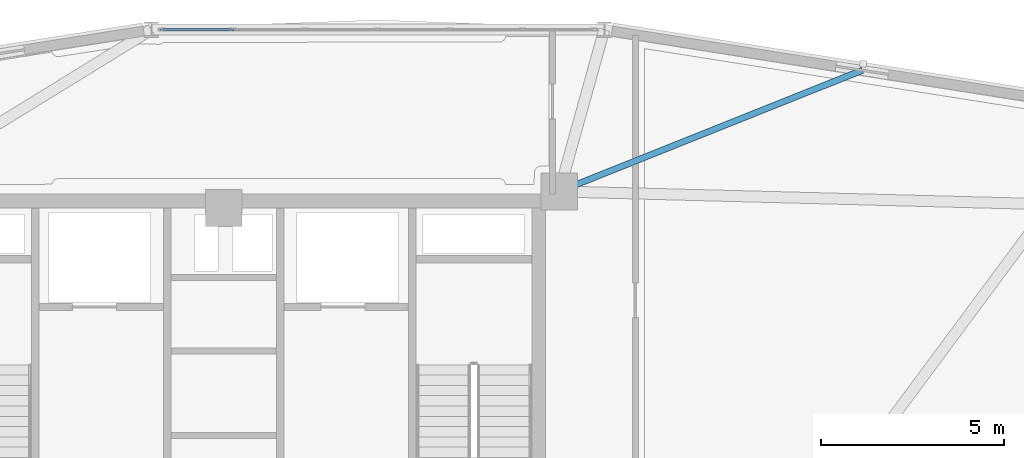
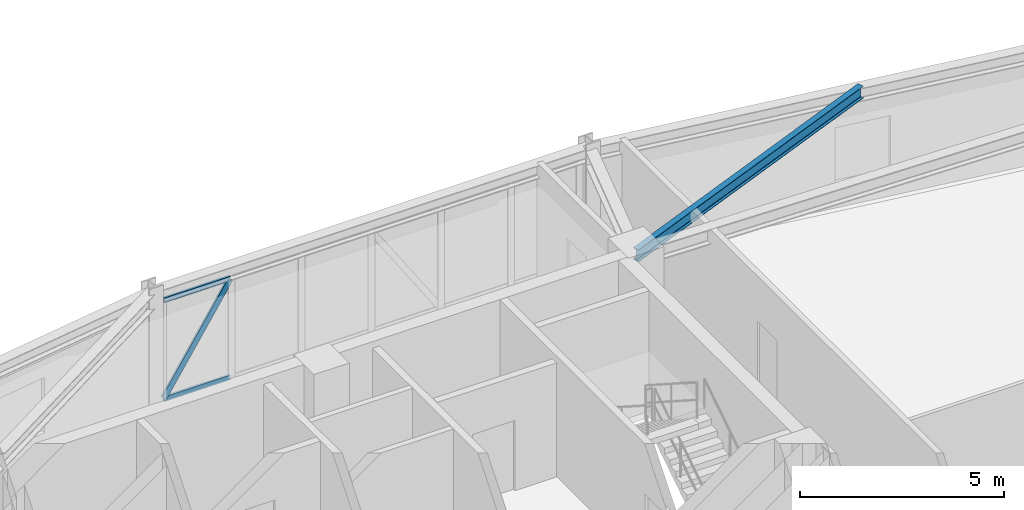
# One storey, part 9 of 19: 3 members, 1 beam, 1 element without a shape of its own.
"""IFC4 building model written with IfcOpenShell, lengths in metres."""

from ifc_helpers import new_model, si_unit, derived_unit, direction, frame, origin, origin_2d, place, context, subcontext, project, spatial, hollow_rectangle, i_section, extrude, source, transform, mapped, material, layer, layer_set, material_profile, profile_set, type_object, element, aggregate, save


model = new_model("IFC4")

# Units and contexts
model_context = context("Model", 3, precision=1e-05, world=origin(), true_north=direction((0.0, 1.0)))
body_context = subcontext(model_context, "Body", "Model", "MODEL_VIEW")
ifc_project = project(units=[si_unit("LENGTHUNIT", "METRE"), si_unit("AREAUNIT", "SQUARE_METRE"), si_unit("VOLUMEUNIT", "CUBIC_METRE"), si_unit("PLANEANGLEUNIT", "RADIAN"), si_unit("MASSUNIT", "GRAM", prefix="KILO"), derived_unit("THERMALTRANSMITTANCEUNIT", [(si_unit("POWERUNIT", "WATT"), 1), (si_unit("LENGTHUNIT", "METRE"), -2), (si_unit("THERMODYNAMICTEMPERATUREUNIT", "KELVIN"), -1)])], contexts=[model_context])

# Site, building, storey
site_placement = place(None, origin())
site = spatial("IfcSite", under=ifc_project, at=site_placement, CompositionType="ELEMENT")
building_placement = place(site_placement, origin())
building = spatial("IfcBuilding", under=site, at=building_placement, Name="Korsvarv Bourse and Concert Hall", CompositionType="ELEMENT")
storey_placement = place(building_placement, frame((0.0, 0.0, 205.800048828125)))
storey = spatial("IfcBuildingStorey", under=building, at=storey_placement, Name="L53", CompositionType="ELEMENT", Elevation=205.800048828125)

# Beam
ifc_material_1 = material(Name="Steel S355", Category="steel")
ifc_material_profile_1 = material_profile(ifc_material_1, i_section(OverallWidth=0.169921875, OverallDepth=0.360107421875, WebThickness=0.008056640625, FlangeThickness=0.0126953125, FilletRadius=0.01806640625, at=origin_2d()), Name="IPE 360")
ifc_profile_set_1 = profile_set([ifc_material_profile_1], Name="Steel S355")
beam_type = type_object("IfcBeamType", Name="BM-IPE360", PredefinedType="JOIST", material=ifc_profile_set_1)
shared_shape_1 = source(origin(), body_context, "Body", "SweptSolid", [
    extrude(i_section(OverallWidth=0.169921875, OverallDepth=0.360107421875, WebThickness=0.008056640625, FlangeThickness=0.0126953125, FilletRadius=0.01806640625, at=origin_2d()), origin(), (0.0, 0.0, 1.0), 8.89892578125),
])
beam_placement = place(storey_placement, frame((53.412353515625, 50.5546875, 3.22998046875), z_axis=(-0.928488042931, -0.371362294983, 0.0), x_axis=(0.371362294983, -0.928488042931, 0.0)))
element("IfcBeam", 1, at=beam_placement, inside=storey, type_object=beam_type, Name="L53 beam J-06", PredefinedType="JOIST", context=body_context, shape_type="MappedRepresentation", body=[
    mapped(shared_shape_1, transform((0.0, 0.0, 0.0), scale=1.0)),
])

# Curtain wall, members
ifc_material_2 = material(Name="Anodised aluminium and triple low-E glazing", Category="glass")
ifc_layer = layer(ifc_material_2, 0.199951171875)
ifc_layer_set = layer_set([ifc_layer], Name="Anodised aluminium and triple low-E glazing")
curtain_wall_type = type_object("IfcCurtainWallType", Name="CW-SYS-3", PredefinedType="NOTDEFINED", material=ifc_layer_set)
curtain_wall_placement = place(storey_placement, origin())
curtain_wall = element("IfcCurtainWall", 2, at=curtain_wall_placement, inside=storey, type_object=curtain_wall_type, Name="L53 CW3 curtain wall CW-L53-F03", PredefinedType="NOTDEFINED")
ifc_material_3 = material(Name="Extruded aluminium EN AW-6063 T66", Category="aluminium")
ifc_material_profile_2 = material_profile(ifc_material_3, hollow_rectangle(XDim=0.06494140625, YDim=0.139892578125, WallThickness=0.00390625, at=origin_2d()), Name="ALU-T 65x140")
ifc_profile_set_2 = profile_set([ifc_material_profile_2], Name="Extruded aluminium EN AW-6063 T66")
member_type_1 = type_object("IfcMemberType", Name="CWT-140", PredefinedType="USERDEFINED", material=ifc_profile_set_2)
shared_shape_2 = source(origin(), body_context, "Body", "SweptSolid", [
    extrude(hollow_rectangle(XDim=0.06494140625, YDim=0.139892578125, WallThickness=0.00390625, at=origin_2d()), origin(), (0.0, 0.0, 1.0), 1.86962890625),
])
member_1_placement = place(storey_placement, frame((36.2158203125, 51.66162109375, 0.032470703125), z_axis=(-1.0, 0.0, 0.0), x_axis=(0.0, -1.0, 0.0)))
member_1 = element("IfcMember", 3, at=member_1_placement, type_object=member_type_1, Name="CW3 transom 6.1", ObjectType="TRANSOM", PredefinedType="USERDEFINED", context=body_context, shape_type="MappedRepresentation", body=[
    mapped(shared_shape_2, transform((0.0, 0.0, 0.0), scale=1.0)),
])
member_2_placement = place(storey_placement, frame((36.2158203125, 51.66162109375, 2.987548828125), z_axis=(-1.0, 0.0, 0.0), x_axis=(0.0, -1.0, 0.0)))
member_2 = element("IfcMember", 4, at=member_2_placement, type_object=member_type_1, Name="CW3 transom 6.2", ObjectType="TRANSOM", PredefinedType="USERDEFINED", context=body_context, shape_type="MappedRepresentation", body=[
    mapped(shared_shape_2, transform((0.0, 0.0, 0.0), scale=1.0)),
])
ifc_material_profile_3 = material_profile(ifc_material_3, hollow_rectangle(XDim=0.06494140625, YDim=0.1650390625, WallThickness=0.0048828125, at=origin_2d()), Name="ALU-M 65x165")
ifc_profile_set_3 = profile_set([ifc_material_profile_3], Name="Extruded aluminium EN AW-6063 T66")
member_type_2 = type_object("IfcMemberType", Name="CWM-165", PredefinedType="MULLION", material=ifc_profile_set_3)
shared_shape_3 = source(origin(), body_context, "Body", "SweptSolid", [
    extrude(hollow_rectangle(XDim=0.06494140625, YDim=0.1650390625, WallThickness=0.0048828125, at=origin_2d()), origin(), (0.0, 0.0, 1.0), 3.44189453125),
])
member_3_placement = place(storey_placement, frame((34.34619140625, 51.66162109375, 0.06494140625), z_axis=(0.543189514826, 0.0, 0.839610118438), x_axis=(0.0, 1.0, 0.0)))
member_3 = element("IfcMember", 5, at=member_3_placement, type_object=member_type_2, Name="CW3 diagonal mullion 6", PredefinedType="MULLION", context=body_context, shape_type="MappedRepresentation", body=[
    mapped(shared_shape_3, transform((0.0, 0.0, 0.0), scale=1.0)),
])
aggregate(curtain_wall, [member_1, member_2, member_3])

save(model, "model.ifc")
